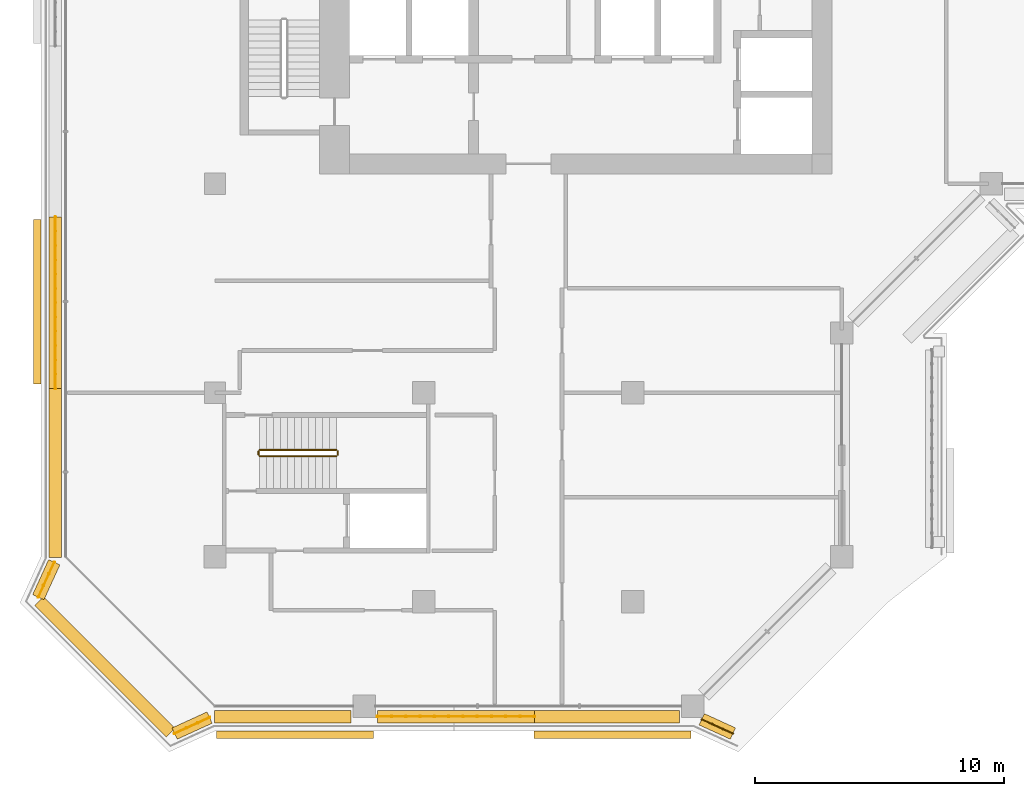
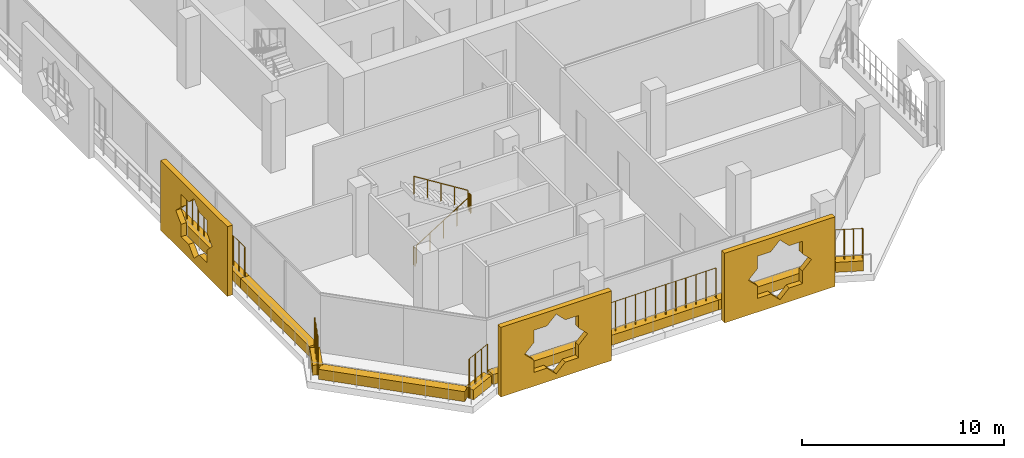
# One storey, part 14 of 21: 12 coverings, 9 railings.
"""IFC4 building model written with IfcOpenShell, lengths in metres."""

from ifc_helpers import new_model, si_unit, direction, frame, origin, origin_2d, place, context, subcontext, project, spatial, polyline, rectangle, circle, outline, extrude, material, material_profile, profile_set, type_object, element, save


model = new_model("IFC4")

# Units and contexts
model_context = context("Model", 3, precision=1e-05, world=origin(), true_north=direction((0.0, 1.0)))
body_context = subcontext(model_context, "Body", "Model", "MODEL_VIEW")
ifc_project = project(units=[si_unit("LENGTHUNIT", "METRE"), si_unit("AREAUNIT", "SQUARE_METRE"), si_unit("VOLUMEUNIT", "CUBIC_METRE"), si_unit("PLANEANGLEUNIT", "RADIAN"), si_unit("MASSUNIT", "GRAM", prefix="KILO")], contexts=[model_context])

# Site, building, storey
site_placement = place(None, origin())
site = spatial("IfcSite", under=ifc_project, at=site_placement, CompositionType="ELEMENT")
building_placement = place(site_placement, origin())
building = spatial("IfcBuilding", under=site, at=building_placement, Name="Kawkab Arch Medical Tower", CompositionType="ELEMENT")
storey_placement = place(building_placement, frame((0.0, 0.0, 243.199951171875)))
storey = spatial("IfcBuildingStorey", under=building, at=storey_placement, Name="L56", CompositionType="ELEMENT", Elevation=243.199951171875)

# Coverings
ifc_material_1 = material(Name="Bronze anodised aluminium mashrabiya panel, eight-point star pattern", Category="aluminium")
ifc_material_profile_1 = material_profile(ifc_material_1, outline(polyline([(-3.14990234375, -2.10009765625), (3.14990234375, -2.10009765625), (3.14990234375, 2.10009765625), (-3.14990234375, 2.10009765625), (-3.14990234375, -2.10009765625)]), holes=[polyline([(1.800048828125, 0.0), (1.272705078125, 0.527099609375), (1.272705078125, 1.272705078125), (0.527099609375, 1.272705078125), (0.0, 1.800048828125), (-0.527099609375, 1.272705078125), (-1.272705078125, 1.272705078125), (-1.272705078125, 0.527099609375), (-1.800048828125, 0.0), (-1.272705078125, -0.527099609375), (-1.272705078125, -1.272705078125), (-0.527099609375, -1.272705078125), (0.0, -1.800048828125), (0.527099609375, -1.272705078125), (1.272705078125, -1.272705078125), (1.272705078125, -0.527099609375), (1.800048828125, 0.0)])]), Name="Mashrabiya panel 6300x4200")
ifc_profile_set_1 = profile_set([ifc_material_profile_1], Name="Bronze anodised aluminium mashrabiya panel, eight-point star pattern")
covering_type_1 = type_object("IfcCoveringType", Name="Mashrabiya panel 6300 x 4200", PredefinedType="USERDEFINED", material=ifc_profile_set_1)
for number, where, z_axis, x_axis, name in (
    (1, (15.9814453125, -47.199951171875, 1.699951171875), (0.0, -1.0, 0.0), (1.0, 0.0, 0.0), "Mashrabiya panel L56.LOG-01-01.1"),
    (2, (3.218505859375, -47.199951171875, 1.699951171875), (0.0, -1.0, 0.0), (1.0, 0.0, 0.0), "Mashrabiya panel L56.LOG-01-01.2"),
):
    element("IfcCovering", number, at=place(storey_placement, frame(where, z_axis=z_axis, x_axis=x_axis)), inside=storey, type_object=covering_type_1, Name=name, ObjectType="SCREEN", PredefinedType="USERDEFINED", context=body_context, shape_type="SweptSolid", body=[
        extrude(outline(polyline([(-3.14990234375, -2.10009765625), (3.14990234375, -2.10009765625), (3.14990234375, 2.10009765625), (-3.14990234375, 2.10009765625), (-3.14990234375, -2.10009765625)]), holes=[polyline([(1.800048828125, 0.0), (1.272705078125, 0.527099609375), (1.272705078125, 1.272705078125), (0.527099609375, 1.272705078125), (0.0, 1.800048828125), (-0.527099609375, 1.272705078125), (-1.272705078125, 1.272705078125), (-1.272705078125, 0.527099609375), (-1.800048828125, 0.0), (-1.272705078125, -0.527099609375), (-1.272705078125, -1.272705078125), (-0.527099609375, -1.272705078125), (0.0, -1.800048828125), (0.527099609375, -1.272705078125), (1.272705078125, -1.272705078125), (1.272705078125, -0.527099609375), (1.800048828125, 0.0)])]), origin(), (0.0, 0.0, 1.0), 0.300048828125),
    ])
ifc_material_2 = material(Name="Bronze anodised aluminium mashrabiya panel, eight-point star pattern", Category="aluminium")
ifc_material_profile_2 = material_profile(ifc_material_2, outline(polyline([(-3.300048828125, -2.10009765625), (3.300048828125, -2.10009765625), (3.300048828125, 2.10009765625), (-3.300048828125, 2.10009765625), (-3.300048828125, -2.10009765625)]), holes=[polyline([(1.800048828125, 0.0), (1.272705078125, 0.527099609375), (1.272705078125, 1.272705078125), (0.527099609375, 1.272705078125), (0.0, 1.800048828125), (-0.527099609375, 1.272705078125), (-1.272705078125, 1.272705078125), (-1.272705078125, 0.527099609375), (-1.800048828125, 0.0), (-1.272705078125, -0.527099609375), (-1.272705078125, -1.272705078125), (-0.527099609375, -1.272705078125), (0.0, -1.800048828125), (0.527099609375, -1.272705078125), (1.272705078125, -1.272705078125), (1.272705078125, -0.527099609375), (1.800048828125, 0.0)])]), Name="Mashrabiya panel 6600x4200")
ifc_profile_set_2 = profile_set([ifc_material_profile_2], Name="Bronze anodised aluminium mashrabiya panel, eight-point star pattern")
covering_type_2 = type_object("IfcCoveringType", Name="Mashrabiya panel 6600 x 4200", PredefinedType="USERDEFINED", material=ifc_profile_set_2)
covering_1_placement = place(storey_placement, frame((-7.0, -29.94091796875, 1.699951171875), z_axis=(-1.0, 0.0, 0.0), x_axis=(0.0, -1.0, 0.0)))
element("IfcCovering", 3, at=covering_1_placement, inside=storey, type_object=covering_type_2, Name="Mashrabiya panel L56.LOG-01-01.3", ObjectType="SCREEN", PredefinedType="USERDEFINED", context=body_context, shape_type="SweptSolid", body=[
    extrude(outline(polyline([(-3.300048828125, -2.10009765625), (3.300048828125, -2.10009765625), (3.300048828125, 2.10009765625), (-3.300048828125, 2.10009765625), (-3.300048828125, -2.10009765625)]), holes=[polyline([(1.800048828125, 0.0), (1.272705078125, 0.527099609375), (1.272705078125, 1.272705078125), (0.527099609375, 1.272705078125), (0.0, 1.800048828125), (-0.527099609375, 1.272705078125), (-1.272705078125, 1.272705078125), (-1.272705078125, 0.527099609375), (-1.800048828125, 0.0), (-1.272705078125, -0.527099609375), (-1.272705078125, -1.272705078125), (-0.527099609375, -1.272705078125), (0.0, -1.800048828125), (0.527099609375, -1.272705078125), (1.272705078125, -1.272705078125), (1.272705078125, -0.527099609375), (1.800048828125, 0.0)])]), origin(), (0.0, 0.0, 1.0), 0.300048828125),
])
ifc_material_3 = material(Name="Planting soil in a precast trough", Category="concrete")
ifc_material_profile_3 = material_profile(ifc_material_3, rectangle(XDim=0.5, YDim=0.60009765625, at=origin_2d()), Name="Trough 500x600")
ifc_profile_set_3 = profile_set([ifc_material_profile_3], Name="Planting soil in a precast trough")
covering_type_3 = type_object("IfcCoveringType", Name="Planter trough 500 x 600", PredefinedType="USERDEFINED", material=ifc_profile_set_3)
covering_2_placement = place(storey_placement, frame((20.821044921875, -47.302001953125, 0.300048828125), z_axis=(-0.909831953447, 0.41497688669, 0.0), x_axis=(-0.41497688669, -0.909831953447, 0.0)))
element("IfcCovering", 4, at=covering_2_placement, inside=storey, type_object=covering_type_3, Name="Planter L56.LOG-01-01.1", ObjectType="PLANTER", PredefinedType="USERDEFINED", context=body_context, shape_type="SweptSolid", body=[
    extrude(rectangle(XDim=0.5, YDim=0.60009765625, at=origin_2d()), origin(), (0.0, 0.0, 1.0), 1.37841796875),
])
covering_3_placement = place(storey_placement, frame((18.669921875, -46.6201171875, 0.300048828125), z_axis=(-1.0, 0.0, 0.0), x_axis=(0.0, -1.0, 0.0)))
element("IfcCovering", 5, at=covering_3_placement, inside=storey, type_object=covering_type_3, Name="Planter L56.LOG-01-01.2", ObjectType="PLANTER", PredefinedType="USERDEFINED", context=body_context, shape_type="SweptSolid", body=[
    extrude(rectangle(XDim=0.5, YDim=0.60009765625, at=origin_2d()), origin(), (0.0, 0.0, 1.0), 5.827880859375),
])
covering_4_placement = place(storey_placement, frame((12.842041015625, -46.6201171875, 0.300048828125), z_axis=(-1.0, 0.0, 0.0), x_axis=(0.0, -1.0, 0.0)))
element("IfcCovering", 6, at=covering_4_placement, inside=storey, type_object=covering_type_3, Name="Planter L56.LOG-01-01.3", ObjectType="PLANTER", PredefinedType="USERDEFINED", context=body_context, shape_type="SweptSolid", body=[
    extrude(rectangle(XDim=0.5, YDim=0.60009765625, at=origin_2d()), origin(), (0.0, 0.0, 1.0), 6.31201171875),
])
covering_5_placement = place(storey_placement, frame((5.469970703125, -46.6201171875, 0.300048828125), z_axis=(-1.0, 0.0, 0.0), x_axis=(0.0, -1.0, 0.0)))
element("IfcCovering", 7, at=covering_5_placement, inside=storey, type_object=covering_type_3, Name="Planter L56.LOG-01-01.4", ObjectType="PLANTER", PredefinedType="USERDEFINED", context=body_context, shape_type="SweptSolid", body=[
    extrude(rectangle(XDim=0.5, YDim=0.60009765625, at=origin_2d()), origin(), (0.0, 0.0, 1.0), 5.495849609375),
])
covering_6_placement = place(storey_placement, frame((-0.217041015625, -46.660888671875, 0.300048828125), z_axis=(-0.909655525109, -0.415363486165, 0.0), x_axis=(0.415363486165, -0.909655525109, 0.0)))
element("IfcCovering", 8, at=covering_6_placement, inside=storey, type_object=covering_type_3, Name="Planter L56.LOG-01-01.5", ObjectType="PLANTER", PredefinedType="USERDEFINED", context=body_context, shape_type="SweptSolid", body=[
    extrude(rectangle(XDim=0.5, YDim=0.60009765625, at=origin_2d()), origin(), (0.0, 0.0, 1.0), 1.54345703125),
])
covering_7_placement = place(storey_placement, frame((-1.782958984375, -47.27294921875, 0.300048828125), z_axis=(-0.707106781187, 0.707106781187, 0.0), x_axis=(-0.707106781187, -0.707106781187, 0.0)))
element("IfcCovering", 9, at=covering_7_placement, inside=storey, type_object=covering_type_3, Name="Planter L56.LOG-01-01.6", ObjectType="PLANTER", PredefinedType="USERDEFINED", context=body_context, shape_type="SweptSolid", body=[
    extrude(rectangle(XDim=0.5, YDim=0.60009765625, at=origin_2d()), origin(), (0.0, 0.0, 1.0), 7.481201171875),
])
covering_8_placement = place(storey_placement, frame((-7.10205078125, -41.821044921875, 0.300048828125), z_axis=(0.415363486165, 0.909655525109, 0.0), x_axis=(-0.909655525109, 0.415363486165, 0.0)))
element("IfcCovering", 10, at=covering_8_placement, inside=storey, type_object=covering_type_3, Name="Planter L56.LOG-01-01.7", ObjectType="PLANTER", PredefinedType="USERDEFINED", context=body_context, shape_type="SweptSolid", body=[
    extrude(rectangle(XDim=0.5, YDim=0.60009765625, at=origin_2d()), origin(), (0.0, 0.0, 1.0), 1.54345703125),
])
covering_9_placement = place(storey_placement, frame((-6.419921875, -40.22607421875, 0.300048828125), z_axis=(0.0, 1.0, 0.0), x_axis=(-1.0, 0.0, 0.0)))
element("IfcCovering", 11, at=covering_9_placement, inside=storey, type_object=covering_type_3, Name="Planter L56.LOG-01-01.8", ObjectType="PLANTER", PredefinedType="USERDEFINED", context=body_context, shape_type="SweptSolid", body=[
    extrude(rectangle(XDim=0.5, YDim=0.60009765625, at=origin_2d()), origin(), (0.0, 0.0, 1.0), 6.7900390625),
])
covering_10_placement = place(storey_placement, frame((-6.419921875, -33.43603515625, 0.300048828125), z_axis=(0.0, 1.0, 0.0), x_axis=(-1.0, 0.0, 0.0)))
element("IfcCovering", 12, at=covering_10_placement, inside=storey, type_object=covering_type_3, Name="Planter L56.LOG-01-01.9", ObjectType="PLANTER", PredefinedType="USERDEFINED", context=body_context, shape_type="SweptSolid", body=[
    extrude(rectangle(XDim=0.5, YDim=0.60009765625, at=origin_2d()), origin(), (0.0, 0.0, 1.0), 6.89111328125),
])

# Railings
ifc_material_4 = material(Name="Bronze anodised aluminium trellis for climbing plants", Category="aluminium")
railing_type_1 = type_object("IfcRailingType", Name="Planting trellis 2400", PredefinedType="USERDEFINED", material=ifc_material_4)
railing_1_placement = place(storey_placement, frame((20.821044921875, -47.302001953125, 0.0)))
element("IfcRailing", 13, at=railing_1_placement, inside=storey, type_object=railing_type_1, Name="Planting trellis L56.LOG-01-01.1", ObjectType="TRELLIS", PredefinedType="USERDEFINED", context=body_context, shape_type="SweptSolid", body=[
    extrude(circle(Radius=0.01513671875, at=origin_2d()), frame((0.0, 0.0, 2.384765625), z_axis=(-0.909831953447, 0.41497688669, 0.0), x_axis=(-0.41497688669, -0.909831953447, 0.0)), (0.0, 0.0, 1.0), 1.37841796875),
    extrude(circle(Radius=0.030029296875, at=origin_2d()), origin(), (0.0, 0.0, 1.0), 2.369873046875),
    extrude(circle(Radius=0.030029296875, at=origin_2d()), frame((-0.41796875, 0.190673828125, 0.0)), (0.0, 0.0, 1.0), 2.369873046875),
    extrude(circle(Radius=0.030029296875, at=origin_2d()), frame((-0.836181640625, 0.38134765625, 0.0)), (0.0, 0.0, 1.0), 2.369873046875),
    extrude(circle(Radius=0.030029296875, at=origin_2d()), frame((-1.254150390625, 0.572021484375, 0.0)), (0.0, 0.0, 1.0), 2.369873046875),
])
railing_2_placement = place(storey_placement, frame((12.842041015625, -46.6201171875, 0.0)))
element("IfcRailing", 14, at=railing_2_placement, inside=storey, type_object=railing_type_1, Name="Planting trellis L56.LOG-01-01.3", ObjectType="TRELLIS", PredefinedType="USERDEFINED", context=body_context, shape_type="SweptSolid", body=[
    extrude(circle(Radius=0.01513671875, at=origin_2d()), frame((0.0, 0.0, 2.384765625), z_axis=(-1.0, 0.0, 0.0), x_axis=(0.0, -1.0, 0.0)), (0.0, 0.0, 1.0), 6.31201171875),
    extrude(circle(Radius=0.030029296875, at=origin_2d()), origin(), (0.0, 0.0, 1.0), 2.369873046875),
    extrude(circle(Radius=0.030029296875, at=origin_2d()), frame((-0.57373046875, 0.0, 0.0)), (0.0, 0.0, 1.0), 2.369873046875),
    extrude(circle(Radius=0.030029296875, at=origin_2d()), frame((-1.147705078125, 0.0, 0.0)), (0.0, 0.0, 1.0), 2.369873046875),
    extrude(circle(Radius=0.030029296875, at=origin_2d()), frame((-1.721435546875, 0.0, 0.0)), (0.0, 0.0, 1.0), 2.369873046875),
    extrude(circle(Radius=0.030029296875, at=origin_2d()), frame((-2.295166015625, 0.0, 0.0)), (0.0, 0.0, 1.0), 2.369873046875),
    extrude(circle(Radius=0.030029296875, at=origin_2d()), frame((-2.869140625, 0.0, 0.0)), (0.0, 0.0, 1.0), 2.369873046875),
    extrude(circle(Radius=0.030029296875, at=origin_2d()), frame((-3.44287109375, 0.0, 0.0)), (0.0, 0.0, 1.0), 2.369873046875),
    extrude(circle(Radius=0.030029296875, at=origin_2d()), frame((-4.016845703125, 0.0, 0.0)), (0.0, 0.0, 1.0), 2.369873046875),
    extrude(circle(Radius=0.030029296875, at=origin_2d()), frame((-4.590576171875, 0.0, 0.0)), (0.0, 0.0, 1.0), 2.369873046875),
    extrude(circle(Radius=0.030029296875, at=origin_2d()), frame((-5.164306640625, 0.0, 0.0)), (0.0, 0.0, 1.0), 2.369873046875),
    extrude(circle(Radius=0.030029296875, at=origin_2d()), frame((-5.73828125, 0.0, 0.0)), (0.0, 0.0, 1.0), 2.369873046875),
    extrude(circle(Radius=0.030029296875, at=origin_2d()), frame((-6.31201171875, 0.0, 0.0)), (0.0, 0.0, 1.0), 2.369873046875),
])
railing_3_placement = place(storey_placement, frame((-0.217041015625, -46.660888671875, 0.0)))
element("IfcRailing", 15, at=railing_3_placement, inside=storey, type_object=railing_type_1, Name="Planting trellis L56.LOG-01-01.5", ObjectType="TRELLIS", PredefinedType="USERDEFINED", context=body_context, shape_type="SweptSolid", body=[
    extrude(circle(Radius=0.01513671875, at=origin_2d()), frame((0.0, 0.0, 2.384765625), z_axis=(-0.909655525109, -0.415363486165, 0.0), x_axis=(0.415363486165, -0.909655525109, 0.0)), (0.0, 0.0, 1.0), 1.54345703125),
    extrude(circle(Radius=0.030029296875, at=origin_2d()), origin(), (0.0, 0.0, 1.0), 2.369873046875),
    extrude(circle(Radius=0.030029296875, at=origin_2d()), frame((-0.468017578125, -0.213623046875, 0.0)), (0.0, 0.0, 1.0), 2.369873046875),
    extrude(circle(Radius=0.030029296875, at=origin_2d()), frame((-0.93603515625, -0.427490234375, 0.0)), (0.0, 0.0, 1.0), 2.369873046875),
    extrude(circle(Radius=0.030029296875, at=origin_2d()), frame((-1.404052734375, -0.64111328125, 0.0)), (0.0, 0.0, 1.0), 2.369873046875),
])
railing_4_placement = place(storey_placement, frame((-7.10205078125, -41.821044921875, 0.0)))
element("IfcRailing", 16, at=railing_4_placement, inside=storey, type_object=railing_type_1, Name="Planting trellis L56.LOG-01-01.7", ObjectType="TRELLIS", PredefinedType="USERDEFINED", context=body_context, shape_type="SweptSolid", body=[
    extrude(circle(Radius=0.01513671875, at=origin_2d()), frame((0.0, 0.0, 2.384765625), z_axis=(0.415363486165, 0.909655525109, 0.0), x_axis=(-0.909655525109, 0.415363486165, 0.0)), (0.0, 0.0, 1.0), 1.54345703125),
    extrude(circle(Radius=0.030029296875, at=origin_2d()), origin(), (0.0, 0.0, 1.0), 2.369873046875),
    extrude(circle(Radius=0.030029296875, at=origin_2d()), frame((0.213623046875, 0.468017578125, 0.0)), (0.0, 0.0, 1.0), 2.369873046875),
    extrude(circle(Radius=0.030029296875, at=origin_2d()), frame((0.427490234375, 0.93603515625, 0.0)), (0.0, 0.0, 1.0), 2.369873046875),
    extrude(circle(Radius=0.030029296875, at=origin_2d()), frame((0.64111328125, 1.404052734375, 0.0)), (0.0, 0.0, 1.0), 2.369873046875),
])
railing_5_placement = place(storey_placement, frame((-6.419921875, -33.43603515625, 0.0)))
element("IfcRailing", 17, at=railing_5_placement, inside=storey, type_object=railing_type_1, Name="Planting trellis L56.LOG-01-01.9", ObjectType="TRELLIS", PredefinedType="USERDEFINED", context=body_context, shape_type="SweptSolid", body=[
    extrude(circle(Radius=0.01513671875, at=origin_2d()), frame((0.0, 0.0, 2.384765625), z_axis=(0.0, 1.0, 0.0), x_axis=(-1.0, 0.0, 0.0)), (0.0, 0.0, 1.0), 6.89111328125),
    extrude(circle(Radius=0.030029296875, at=origin_2d()), origin(), (0.0, 0.0, 1.0), 2.369873046875),
    extrude(circle(Radius=0.030029296875, at=origin_2d()), frame((0.0, 0.57421875, 0.0)), (0.0, 0.0, 1.0), 2.369873046875),
    extrude(circle(Radius=0.030029296875, at=origin_2d()), frame((0.0, 1.1484375, 0.0)), (0.0, 0.0, 1.0), 2.369873046875),
    extrude(circle(Radius=0.030029296875, at=origin_2d()), frame((0.0, 1.72265625, 0.0)), (0.0, 0.0, 1.0), 2.369873046875),
    extrude(circle(Radius=0.030029296875, at=origin_2d()), frame((0.0, 2.297119140625, 0.0)), (0.0, 0.0, 1.0), 2.369873046875),
    extrude(circle(Radius=0.030029296875, at=origin_2d()), frame((0.0, 2.871337890625, 0.0)), (0.0, 0.0, 1.0), 2.369873046875),
    extrude(circle(Radius=0.030029296875, at=origin_2d()), frame((0.0, 3.445556640625, 0.0)), (0.0, 0.0, 1.0), 2.369873046875),
    extrude(circle(Radius=0.030029296875, at=origin_2d()), frame((0.0, 4.019775390625, 0.0)), (0.0, 0.0, 1.0), 2.369873046875),
    extrude(circle(Radius=0.030029296875, at=origin_2d()), frame((0.0, 4.593994140625, 0.0)), (0.0, 0.0, 1.0), 2.369873046875),
    extrude(circle(Radius=0.030029296875, at=origin_2d()), frame((0.0, 5.16845703125, 0.0)), (0.0, 0.0, 1.0), 2.369873046875),
    extrude(circle(Radius=0.030029296875, at=origin_2d()), frame((0.0, 5.74267578125, 0.0)), (0.0, 0.0, 1.0), 2.369873046875),
    extrude(circle(Radius=0.030029296875, at=origin_2d()), frame((0.0, 6.31689453125, 0.0)), (0.0, 0.0, 1.0), 2.369873046875),
    extrude(circle(Radius=0.030029296875, at=origin_2d()), frame((0.0, 6.89111328125, 0.0)), (0.0, 0.0, 1.0), 2.369873046875),
])
ifc_material_5 = material(Name="Stainless steel", Category="steel")
railing_type_2 = type_object("IfcRailingType", Name="Stair guard 1100", PredefinedType="GUARDRAIL", material=ifc_material_5)
railing_6_placement = place(storey_placement, frame((1.800048828125, -36.14990234375, 0.175048828125)))
element("IfcRailing", 18, at=railing_6_placement, inside=storey, type_object=railing_type_2, Name="L56 ST6 stair guard 1", PredefinedType="GUARDRAIL", context=body_context, shape_type="SweptSolid", body=[
    extrude(circle(Radius=0.02392578125, at=origin_2d()), frame((0.0, 0.0, 1.076171875), z_axis=(0.847979421464, 0.0, 0.530029150871), x_axis=(0.0, 1.0, 0.0)), (0.0, 0.0, 1.0), 3.632080078125),
    extrude(circle(Radius=0.02099609375, at=origin_2d()), origin(), (0.0, 0.0, 1.0), 1.052001953125),
    extrude(circle(Radius=0.02099609375, at=origin_2d()), frame((0.77001953125, 0.0, 0.481201171875)), (0.0, 0.0, 1.0), 1.052001953125),
    extrude(circle(Radius=0.02099609375, at=origin_2d()), frame((1.5400390625, 0.0, 0.96240234375)), (0.0, 0.0, 1.0), 1.052001953125),
    extrude(circle(Radius=0.02099609375, at=origin_2d()), frame((2.309814453125, 0.0, 1.44384765625)), (0.0, 0.0, 1.0), 1.052001953125),
    extrude(circle(Radius=0.02099609375, at=origin_2d()), frame((3.079833984375, 0.0, 1.925048828125)), (0.0, 0.0, 1.0), 1.052001953125),
])
railing_7_placement = place(storey_placement, frame((4.929931640625, -36.10009765625, 2.10009765625)))
element("IfcRailing", 19, at=railing_7_placement, inside=storey, type_object=railing_type_2, Name="L56 ST6 stair guard 2", PredefinedType="GUARDRAIL", context=body_context, shape_type="SweptSolid", body=[
    extrude(circle(Radius=0.02392578125, at=origin_2d()), frame((0.0, 0.0, 1.076171875), z_axis=(0.0, 1.0, 0.0), x_axis=(-1.0, 0.0, 0.0)), (0.0, 0.0, 1.0), 0.150146484375),
    extrude(circle(Radius=0.02099609375, at=origin_2d()), origin(), (0.0, 0.0, 1.0), 1.052001953125),
    extrude(circle(Radius=0.02099609375, at=origin_2d()), frame((0.0, 0.150146484375, 0.0)), (0.0, 0.0, 1.0), 1.052001953125),
])
railing_8_placement = place(storey_placement, frame((4.8798828125, -35.89990234375, 2.275146484375)))
element("IfcRailing", 20, at=railing_8_placement, inside=storey, type_object=railing_type_2, Name="L56 ST6 stair guard 3", PredefinedType="GUARDRAIL", context=body_context, shape_type="SweptSolid", body=[
    extrude(circle(Radius=0.02392578125, at=origin_2d()), frame((0.0, 0.0, 1.076171875), z_axis=(-0.848009633417, 0.0, 0.529980812513), x_axis=(0.0, -1.0, 0.0)), (0.0, 0.0, 1.0), 3.6318359375),
    extrude(circle(Radius=0.02099609375, at=origin_2d()), origin(), (0.0, 0.0, 1.0), 1.052001953125),
    extrude(circle(Radius=0.02099609375, at=origin_2d()), frame((-0.77001953125, 0.0, 0.481201171875)), (0.0, 0.0, 1.0), 1.052001953125),
    extrude(circle(Radius=0.02099609375, at=origin_2d()), frame((-1.5400390625, 0.0, 0.96240234375)), (0.0, 0.0, 1.0), 1.052001953125),
    extrude(circle(Radius=0.02099609375, at=origin_2d()), frame((-2.309814453125, 0.0, 1.443603515625)), (0.0, 0.0, 1.0), 1.052001953125),
    extrude(circle(Radius=0.02099609375, at=origin_2d()), frame((-3.079833984375, 0.0, 1.9248046875)), (0.0, 0.0, 1.0), 1.052001953125),
])
railing_9_placement = place(storey_placement, frame((1.75, -36.10009765625, 0.0)))
element("IfcRailing", 21, at=railing_9_placement, inside=storey, type_object=railing_type_2, Name="L56 ST6 stair guard 4", PredefinedType="GUARDRAIL", context=body_context, shape_type="SweptSolid", body=[
    extrude(circle(Radius=0.02392578125, at=origin_2d()), frame((0.0, 0.0, 1.076171875), z_axis=(0.0, 1.0, 0.0), x_axis=(-1.0, 0.0, 0.0)), (0.0, 0.0, 1.0), 0.150146484375),
    extrude(circle(Radius=0.02099609375, at=origin_2d()), origin(), (0.0, 0.0, 1.0), 1.052001953125),
    extrude(circle(Radius=0.02099609375, at=origin_2d()), frame((0.0, 0.150146484375, 0.0)), (0.0, 0.0, 1.0), 1.052001953125),
])

save(model, "model.ifc")
